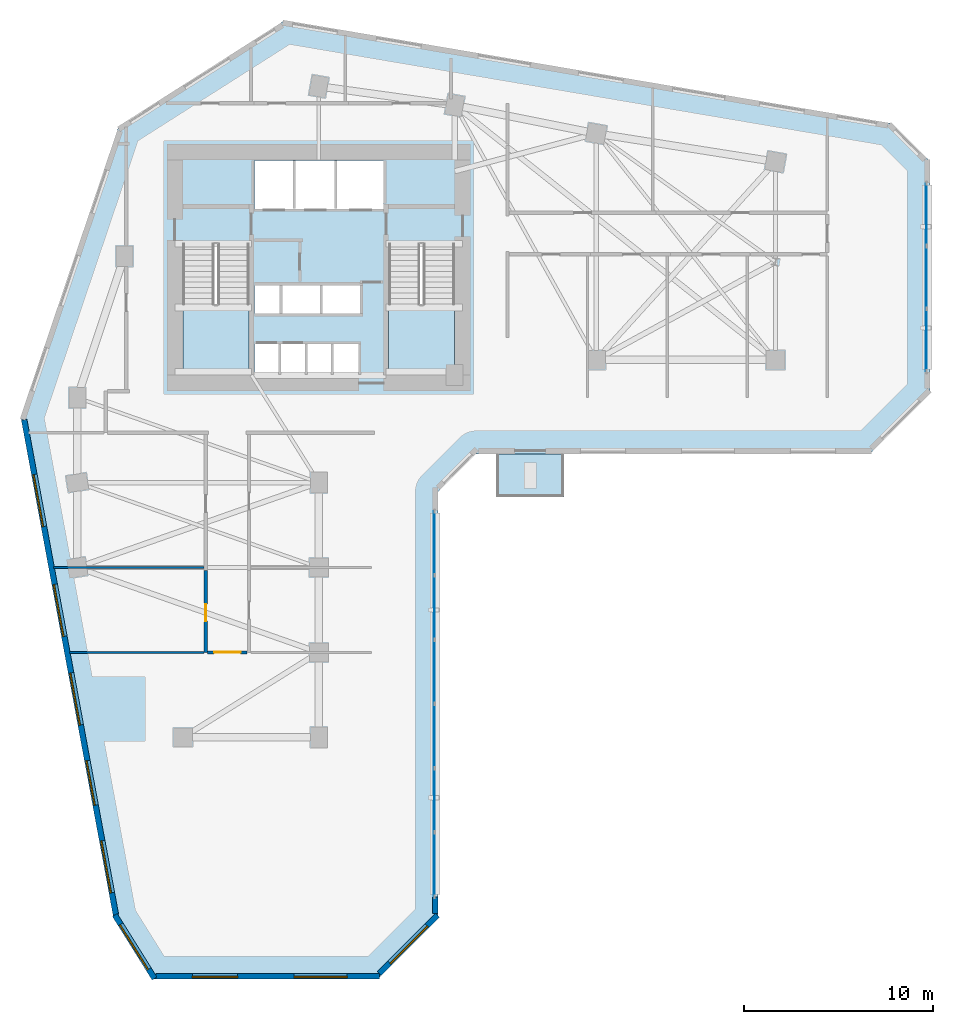
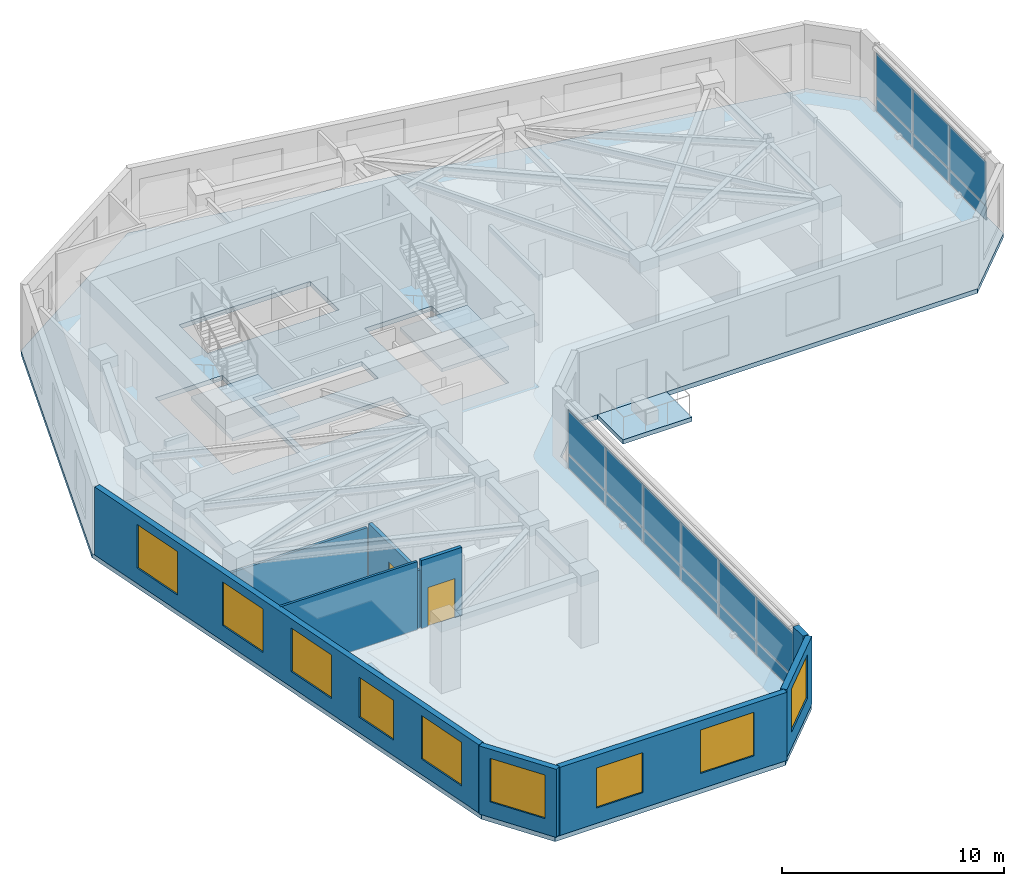
# One storey, part 4 of 10: 18 plates, 9 walls, 9 windows, 4 slabs, 2 doors, 11 openings, 4 elements without a shape of their own.
"""IFC4 building model written with IfcOpenShell, lengths in metres."""

import ifcopenshell
import ifcopenshell.guid

model = None  # the IFC model being written
_history = None  # IfcOwnerHistory: only IFC2X3 demands one
_inside = {}  # id of a spatial element -> (the spatial element, [elements in it])
_under = {}  # id of a project, library or spatial element -> (it, [spatial elements below it])
_declared = {}  # id of a project -> (the project, [libraries it declares])
_typed = {}  # id of a type object -> (the type object, [elements of that type])
_made_of = {}  # id of a material, layer set ... -> (it, [elements and type objects made of it])


def new_model(schema):
    """Start an empty IFC model of exactly this schema.

    Asked for "IFC4X3", IfcOpenShell would pick the latest addendum, in which some entities
    have other attributes; the version numbers below select the first issue.
    IFC2X3 requires an IfcOwnerHistory on every rooted entity: one is made here for all.
    """
    global model, _history
    if schema == "IFC4X3":
        model = ifcopenshell.file(schema_version=(4, 3, 0, 0))
    else:
        model = ifcopenshell.file(schema=schema)
    _inside.clear()
    _under.clear()
    _declared.clear()
    _typed.clear()
    _made_of.clear()
    _history = None
    if model.schema == "IFC2X3":
        org = make("IfcOrganization", Name="unknown")
        user = make(
            "IfcPersonAndOrganization",
            ThePerson=make("IfcPerson", FamilyName="unknown"),
            TheOrganization=org,
        )
        app = make(
            "IfcApplication",
            ApplicationDeveloper=org,
            Version="unknown",
            ApplicationFullName="unknown",
            ApplicationIdentifier="unknown",
        )
        _history = make(
            "IfcOwnerHistory",
            OwningUser=user,
            OwningApplication=app,
            ChangeAction="ADDED",
            CreationDate=0,
        )
    return model


def make(cls, **values):
    """One entity of the class cls with the attributes given. An attribute that is None is left unset."""
    return model.create_entity(
        cls, **{name: value for name, value in values.items() if value is not None}
    )


def rooted(cls, **values):
    """An entity with a GlobalId (a new one), such as an element, a storey or a relation."""
    return make(cls, GlobalId=ifcopenshell.guid.new(), OwnerHistory=_history, **values)


def si_unit(unit_type, name, prefix=None):
    """IfcSIUnit, for example si_unit("LENGTHUNIT", "METRE", prefix="MILLI")."""
    return make("IfcSIUnit", UnitType=unit_type, Prefix=prefix, Name=name)


def assignment(units):
    """IfcUnitAssignment: the units of a project."""
    return None if units is None else make("IfcUnitAssignment", Units=units)


def point(xyz):
    """IfcCartesianPoint."""
    return None if xyz is None else make("IfcCartesianPoint", Coordinates=xyz)


def direction(xyz):
    """IfcDirection."""
    return None if xyz is None else make("IfcDirection", DirectionRatios=xyz)


def frame(location, z_axis=None, x_axis=None):
    """IfcAxis2Placement3D, a coordinate frame: its origin and axes. An axis left out is left unset."""
    return make(
        "IfcAxis2Placement3D",
        Location=point(location),
        Axis=direction(z_axis),
        RefDirection=direction(x_axis),
    )


def frame_2d(location, x_axis=None):
    """IfcAxis2Placement2D, a coordinate frame in the plane: its origin and x axis."""
    return make(
        "IfcAxis2Placement2D", Location=point(location), RefDirection=direction(x_axis)
    )


def origin():
    """The frame at (0, 0, 0) with its axes left unset."""
    return frame((0.0, 0.0, 0.0))


def place(relative_to, where):
    """IfcLocalPlacement: puts the frame where relative to a parent placement (None: the world)."""
    return make(
        "IfcLocalPlacement", PlacementRelTo=relative_to, RelativePlacement=where
    )


def context(
    kind, dimensions, precision=None, world=None, true_north=None, identifier=None
):
    """IfcGeometricRepresentationContext, for example the 3D "Model" context."""
    return make(
        "IfcGeometricRepresentationContext",
        ContextIdentifier=identifier,
        ContextType=kind,
        CoordinateSpaceDimension=dimensions,
        Precision=precision,
        WorldCoordinateSystem=world,
        TrueNorth=true_north,
    )


def subcontext(parent, identifier, kind, view, scale=None):
    """IfcGeometricRepresentationSubContext, for example "Body" below "Model"."""
    return make(
        "IfcGeometricRepresentationSubContext",
        ContextIdentifier=identifier,
        ContextType=kind,
        ParentContext=parent,
        TargetScale=scale,
        TargetView=view,
    )


def project(units=None, contexts=None):
    """IfcProject with its units and contexts."""
    return rooted(
        "IfcProject",
        Name="project",
        RepresentationContexts=contexts,
        UnitsInContext=assignment(units),
    )


def spatial(cls, under=None, at=None, **own):
    """A site, building, storey or space (cls), placed at a placement, below another one or the project."""
    s = rooted(cls, ObjectPlacement=at, **own)
    if under is not None:
        _under.setdefault(under.id(), (under, []))[1].append(s)
    return s


def polyline(points):
    """IfcPolyline through the points."""
    return make("IfcPolyline", Points=[point(p) for p in points])


def profile(cls, at=None, kind="AREA", **sizes):
    """A parametric profile (cls). Its sizes go by their IFC names, for example OverallWidth=200.0."""
    return make(cls, ProfileType=kind, Position=at, **sizes)


def rectangle(**sizes):
    """IfcRectangleProfileDef."""
    return profile("IfcRectangleProfileDef", **sizes)


def outline(outer, holes=None, kind="AREA"):
    """IfcArbitraryClosedProfileDef: a profile drawn as a closed curve; with holes, ...WithVoids."""
    if holes is None:
        return make("IfcArbitraryClosedProfileDef", ProfileType=kind, OuterCurve=outer)
    return make(
        "IfcArbitraryProfileDefWithVoids",
        ProfileType=kind,
        OuterCurve=outer,
        InnerCurves=holes,
    )


def extrude(swept, where, along, depth):
    """IfcExtrudedAreaSolid: the profile swept, set in the frame where, extruded along a direction by depth."""
    return make(
        "IfcExtrudedAreaSolid",
        SweptArea=swept,
        Position=where,
        ExtrudedDirection=direction(along),
        Depth=depth,
    )


def shape(context_of_items, identifier, shape_type, items):
    """IfcShapeRepresentation: the items that make up one representation, for example the "Body"."""
    return make(
        "IfcShapeRepresentation",
        ContextOfItems=context_of_items,
        RepresentationIdentifier=identifier,
        RepresentationType=shape_type,
        Items=items,
    )


def source(mapping_origin, context_of_items, identifier, shape_type, items):
    """IfcRepresentationMap: a shape defined once, which mapped items show again and again."""
    return make(
        "IfcRepresentationMap",
        MappingOrigin=mapping_origin,
        MappedRepresentation=shape(context_of_items, identifier, shape_type, items),
    )


def transform(
    local_origin,
    x_axis=None,
    y_axis=None,
    z_axis=None,
    scale=None,
    scale2=None,
    scale3=None,
    uniform=True,
):
    """IfcCartesianTransformationOperator3D, or its non-uniform kind. x_axis, y_axis, z_axis: its Axis1, 2, 3."""
    if uniform:
        return make(
            "IfcCartesianTransformationOperator3D",
            Axis1=direction(x_axis),
            Axis2=direction(y_axis),
            LocalOrigin=point(local_origin),
            Scale=scale,
            Axis3=direction(z_axis),
        )
    return make(
        "IfcCartesianTransformationOperator3DnonUniform",
        Axis1=direction(x_axis),
        Axis2=direction(y_axis),
        LocalOrigin=point(local_origin),
        Scale=scale,
        Axis3=direction(z_axis),
        Scale2=scale2,
        Scale3=scale3,
    )


def mapped(mapping_source, mapping_target):
    """IfcMappedItem: shows the shape of a source again, moved by a transform."""
    return make(
        "IfcMappedItem", MappingSource=mapping_source, MappingTarget=mapping_target
    )


def material(Name=None, Category=None):
    """IfcMaterial."""
    return make("IfcMaterial", Name=Name, Category=Category)


def layer(
    of_material, thickness, ventilated=None, Name=None, Category=None, Priority=None
):
    """IfcMaterialLayer: one layer of a wall or slab, of a material (None: an air gap)."""
    return make(
        "IfcMaterialLayer",
        Material=of_material,
        LayerThickness=thickness,
        IsVentilated=ventilated,
        Name=Name,
        Category=Category,
        Priority=Priority,
    )


def layer_set(layers, Name=None):
    """IfcMaterialLayerSet."""
    return make("IfcMaterialLayerSet", MaterialLayers=layers, LayerSetName=Name)


def made_of(thing, what):
    """Note that an element or type object is made of a material, layer set ...; save() writes the relation."""
    if what is not None:
        _made_of.setdefault(what.id(), (what, []))[1].append(thing)
    return thing


def type_object(cls, material=None, **own):
    """A type object (cls), such as IfcWallType, which elements share."""
    return made_of(rooted(cls, **own), material)


def element(
    cls,
    number,
    at=None,
    inside=None,
    cuts=None,
    type_object=None,
    material=None,
    context=None,
    identifier="Body",
    shape_type=None,
    held_by="IfcProductDefinitionShape",
    body=None,
    shapes=None,
    **own,
):
    """One element of the class cls, such as IfcWall. Its Tag is "e" and its number.

    at: its placement. inside: the storey or other place that contains it. cuts: it is an
    opening in that element (IfcRelVoidsElement). A single representation is given by context,
    identifier, shape_type and body (its items); several are given by shapes. held_by: the class
    of the entity that holds the representations. save() writes the other relations.
    """
    e = rooted(cls, Tag="e%d" % number, ObjectPlacement=at, **own)
    if body is not None:
        shapes = [shape(context, identifier, shape_type, body)]
    if shapes is not None:
        e.Representation = make(held_by, Representations=shapes)
    if inside is not None:
        _inside.setdefault(inside.id(), (inside, []))[1].append(e)
    if cuts is not None:
        rooted(
            "IfcRelVoidsElement", RelatingBuildingElement=cuts, RelatedOpeningElement=e
        )
    if type_object is not None:
        _typed.setdefault(type_object.id(), (type_object, []))[1].append(e)
    return made_of(e, material)


def fill(opening, filler):
    """IfcRelFillsElement: the door or window that sits in an opening."""
    return rooted(
        "IfcRelFillsElement",
        RelatingOpeningElement=opening,
        RelatedBuildingElement=filler,
    )


def aggregate(whole, parts):
    """IfcRelAggregates: a whole, such as a stair, and the parts it consists of."""
    return rooted("IfcRelAggregates", RelatingObject=whole, RelatedObjects=parts)


def save(model, path):
    """Write the relations noted so far, then the file.

    IfcRelAggregates (storeys below a building ...), IfcRelContainedInSpatialStructure (elements
    in a storey), IfcRelDefinesByType, IfcRelAssociatesMaterial and IfcRelDeclares: one each for
    every whole, place, type object, material and project.
    """
    for whole, parts in _under.values():
        aggregate(whole, parts)
    for where, things in _inside.values():
        rooted(
            "IfcRelContainedInSpatialStructure",
            RelatedElements=things,
            RelatingStructure=where,
        )
    for kind, things in _typed.values():
        rooted("IfcRelDefinesByType", RelatedObjects=things, RelatingType=kind)
    for what, things in _made_of.values():
        rooted("IfcRelAssociatesMaterial", RelatedObjects=things, RelatingMaterial=what)
    for by, libraries in _declared.values():
        rooted("IfcRelDeclares", RelatingContext=by, RelatedDefinitions=libraries)
    model.write(path)


model = new_model("IFC4")

# Units and contexts
model_context = context("Model", 3, precision=1e-05, world=origin(), true_north=direction((0.0, 1.0)))
body_context = subcontext(model_context, "Body", "Model", "MODEL_VIEW")
ifc_project = project(units=[si_unit("LENGTHUNIT", "METRE"), si_unit("AREAUNIT", "SQUARE_METRE"), si_unit("VOLUMEUNIT", "CUBIC_METRE"), si_unit("PLANEANGLEUNIT", "RADIAN"), si_unit("MASSUNIT", "GRAM", prefix="KILO")], contexts=[model_context])

# Site, building, storey
site_placement = place(None, origin())
site = spatial("IfcSite", under=ifc_project, at=site_placement, CompositionType="ELEMENT")
building_placement = place(site_placement, origin())
building = spatial("IfcBuilding", under=site, at=building_placement, Name="Calvemar Wedge Station Tower", CompositionType="ELEMENT")
storey_placement = place(building_placement, frame((0.0, 0.0, 87.0)))
storey = spatial("IfcBuildingStorey", under=building, at=storey_placement, Name="L21", CompositionType="ELEMENT", Elevation=87.0)

# Curtain wall, plates
ifc_material_1 = material(Name="Anodised aluminium 6063-T6", Category="aluminium")
curtain_wall_type = type_object("IfcCurtainWallType", Name="CW1", PredefinedType="NOTDEFINED", material=ifc_material_1)
curtain_wall_1_placement = place(storey_placement, origin())
curtain_wall_1 = element("IfcCurtainWall", 1, at=curtain_wall_1_placement, inside=storey, type_object=curtain_wall_type, Name="Storey L21 CW1 Recessed Unitised Curtain Wall 4", PredefinedType="NOTDEFINED")
ifc_material_2 = material(Name="Low-E laminated insulated glass", Category="glass")
ifc_layer_1 = layer(ifc_material_2, 0.028076171875)
ifc_layer_set_1 = layer_set([ifc_layer_1], Name="Low-E laminated insulated glass")
plate_type_1 = type_object("IfcPlateType", Name="CW1-GLZ", PredefinedType="CURTAIN_PANEL", material=ifc_layer_set_1)
plate_1_placement = place(storey_placement, frame((29.91796875, 6.580078125, 0.8701171875), z_axis=(0.0, 0.0, 1.0), x_axis=(0.0, 1.0, 0.0)))
plate_1 = element("IfcPlate", 2, at=plate_1_placement, type_object=plate_type_1, Name="CW1 vision glass panel 1", PredefinedType="CURTAIN_PANEL", context=body_context, shape_type="SweptSolid", body=[
    extrude(rectangle(XDim=3.36865234375, YDim=0.028076171875, at=frame_2d((1.684326171875, 0.0))), origin(), (0.0, 0.0, 1.0), 2.409912109375),
])
plate_2_placement = place(storey_placement, frame((29.91796875, 9.98486328125, 0.8701171875), z_axis=(0.0, 0.0, 1.0), x_axis=(0.0, 1.0, 0.0)))
plate_2 = element("IfcPlate", 3, at=plate_2_placement, type_object=plate_type_1, Name="CW1 vision glass panel 2", PredefinedType="CURTAIN_PANEL", context=body_context, shape_type="SweptSolid", body=[
    extrude(rectangle(XDim=3.36865234375, YDim=0.028076171875, at=frame_2d((1.684326171875, 0.0))), origin(), (0.0, 0.0, 1.0), 2.409912109375),
])
plate_3_placement = place(storey_placement, frame((29.91796875, 13.389404296875, 0.8701171875), z_axis=(0.0, 0.0, 1.0), x_axis=(0.0, 1.0, 0.0)))
plate_3 = element("IfcPlate", 4, at=plate_3_placement, type_object=plate_type_1, Name="CW1 vision glass panel 3", PredefinedType="CURTAIN_PANEL", context=body_context, shape_type="SweptSolid", body=[
    extrude(rectangle(XDim=3.36865234375, YDim=0.028076171875, at=frame_2d((1.684326171875, 0.0))), origin(), (0.0, 0.0, 1.0), 2.409912109375),
])
plate_4_placement = place(storey_placement, frame((29.91796875, 16.794189453125, 0.8701171875), z_axis=(0.0, 0.0, 1.0), x_axis=(0.0, 1.0, 0.0)))
plate_4 = element("IfcPlate", 5, at=plate_4_placement, type_object=plate_type_1, Name="CW1 vision glass panel 4", PredefinedType="CURTAIN_PANEL", context=body_context, shape_type="SweptSolid", body=[
    extrude(rectangle(XDim=3.36865234375, YDim=0.028076171875, at=frame_2d((1.684326171875, 0.0))), origin(), (0.0, 0.0, 1.0), 2.409912109375),
])
plate_5_placement = place(storey_placement, frame((29.91796875, 20.19873046875, 0.8701171875), z_axis=(0.0, 0.0, 1.0), x_axis=(0.0, 1.0, 0.0)))
plate_5 = element("IfcPlate", 6, at=plate_5_placement, type_object=plate_type_1, Name="CW1 vision glass panel 5", PredefinedType="CURTAIN_PANEL", context=body_context, shape_type="SweptSolid", body=[
    extrude(rectangle(XDim=3.36865234375, YDim=0.028076171875, at=frame_2d((1.684326171875, 0.0))), origin(), (0.0, 0.0, 1.0), 2.409912109375),
])
plate_6_placement = place(storey_placement, frame((29.91796875, 23.603515625, 0.8701171875), z_axis=(0.0, 0.0, 1.0), x_axis=(0.0, 1.0, 0.0)))
plate_6 = element("IfcPlate", 7, at=plate_6_placement, type_object=plate_type_1, Name="CW1 vision glass panel 6", PredefinedType="CURTAIN_PANEL", context=body_context, shape_type="SweptSolid", body=[
    extrude(rectangle(XDim=3.36865234375, YDim=0.028076171875, at=frame_2d((1.684326171875, 0.0))), origin(), (0.0, 0.0, 1.0), 2.409912109375),
])

curtain_wall_2_placement = place(storey_placement, origin())
curtain_wall_2 = element("IfcCurtainWall", 8, at=curtain_wall_2_placement, inside=storey, type_object=curtain_wall_type, Name="Storey L21 CW1 Recessed Unitised Curtain Wall 8", PredefinedType="NOTDEFINED")
plate_7_placement = place(storey_placement, frame((55.989990234375, 34.408203125, 0.8701171875), z_axis=(0.0, 0.0, 1.0), x_axis=(0.0, 1.0, 0.0)))
plate_7 = element("IfcPlate", 9, at=plate_7_placement, type_object=plate_type_1, Name="CW1 vision glass panel 1", PredefinedType="CURTAIN_PANEL", context=body_context, shape_type="SweptSolid", body=[
    extrude(rectangle(XDim=3.289306640625, YDim=0.028076171875, at=frame_2d((1.64453125, 0.0))), origin(), (0.0, 0.0, 1.0), 2.409912109375),
])
plate_8_placement = place(storey_placement, frame((55.989990234375, 37.7333984375, 0.8701171875), z_axis=(0.0, 0.0, 1.0), x_axis=(0.0, 1.0, 0.0)))
plate_8 = element("IfcPlate", 10, at=plate_8_placement, type_object=plate_type_1, Name="CW1 vision glass panel 2", PredefinedType="CURTAIN_PANEL", context=body_context, shape_type="SweptSolid", body=[
    extrude(rectangle(XDim=3.289306640625, YDim=0.028076171875, at=frame_2d((1.64453125, 0.0))), origin(), (0.0, 0.0, 1.0), 2.409912109375),
])
plate_9_placement = place(storey_placement, frame((55.989990234375, 41.05859375, 0.8701171875), z_axis=(0.0, 0.0, 1.0), x_axis=(0.0, 1.0, 0.0)))
plate_9 = element("IfcPlate", 11, at=plate_9_placement, type_object=plate_type_1, Name="CW1 vision glass panel 3", PredefinedType="CURTAIN_PANEL", context=body_context, shape_type="SweptSolid", body=[
    extrude(rectangle(XDim=3.289306640625, YDim=0.028076171875, at=frame_2d((1.64453125, 0.0))), origin(), (0.0, 0.0, 1.0), 2.409912109375),
])

# Plate
ifc_material_3 = material(Name="Oxidized bronze aluminium spandrel panel 5005-H24", Category="aluminium")
ifc_layer_2 = layer(ifc_material_3, 0.0400390625)
ifc_layer_set_2 = layer_set([ifc_layer_2], Name="Oxidized bronze aluminium spandrel panel 5005-H24")
plate_type_2 = type_object("IfcPlateType", Name="CW1-SPD", PredefinedType="SHEET", material=ifc_layer_set_2)
plate_10_placement = place(storey_placement, frame((29.91796875, 6.580078125, 0.080078125), z_axis=(0.0, 0.0, 1.0), x_axis=(0.0, 1.0, 0.0)))
plate_10 = element("IfcPlate", 12, at=plate_10_placement, type_object=plate_type_2, Name="CW1 bronze spandrel panel 1", PredefinedType="SHEET", context=body_context, shape_type="SweptSolid", body=[
    extrude(rectangle(XDim=3.36865234375, YDim=0.0400390625, at=frame_2d((1.684326171875, 0.0))), origin(), (0.0, 0.0, 1.0), 0.75),
])

plate_11_placement = place(storey_placement, frame((29.91796875, 9.98486328125, 0.080078125), z_axis=(0.0, 0.0, 1.0), x_axis=(0.0, 1.0, 0.0)))
plate_11 = element("IfcPlate", 13, at=plate_11_placement, type_object=plate_type_2, Name="CW1 bronze spandrel panel 2", PredefinedType="SHEET", context=body_context, shape_type="SweptSolid", body=[
    extrude(rectangle(XDim=3.36865234375, YDim=0.0400390625, at=frame_2d((1.684326171875, 0.0))), origin(), (0.0, 0.0, 1.0), 0.75),
])

plate_12_placement = place(storey_placement, frame((29.91796875, 13.389404296875, 0.080078125), z_axis=(0.0, 0.0, 1.0), x_axis=(0.0, 1.0, 0.0)))
plate_12 = element("IfcPlate", 14, at=plate_12_placement, type_object=plate_type_2, Name="CW1 bronze spandrel panel 3", PredefinedType="SHEET", context=body_context, shape_type="SweptSolid", body=[
    extrude(rectangle(XDim=3.36865234375, YDim=0.0400390625, at=frame_2d((1.684326171875, 0.0))), origin(), (0.0, 0.0, 1.0), 0.75),
])

plate_13_placement = place(storey_placement, frame((29.91796875, 16.794189453125, 0.080078125), z_axis=(0.0, 0.0, 1.0), x_axis=(0.0, 1.0, 0.0)))
plate_13 = element("IfcPlate", 15, at=plate_13_placement, type_object=plate_type_2, Name="CW1 bronze spandrel panel 4", PredefinedType="SHEET", context=body_context, shape_type="SweptSolid", body=[
    extrude(rectangle(XDim=3.36865234375, YDim=0.0400390625, at=frame_2d((1.684326171875, 0.0))), origin(), (0.0, 0.0, 1.0), 0.75),
])

plate_14_placement = place(storey_placement, frame((29.91796875, 20.19873046875, 0.080078125), z_axis=(0.0, 0.0, 1.0), x_axis=(0.0, 1.0, 0.0)))
plate_14 = element("IfcPlate", 16, at=plate_14_placement, type_object=plate_type_2, Name="CW1 bronze spandrel panel 5", PredefinedType="SHEET", context=body_context, shape_type="SweptSolid", body=[
    extrude(rectangle(XDim=3.36865234375, YDim=0.0400390625, at=frame_2d((1.684326171875, 0.0))), origin(), (0.0, 0.0, 1.0), 0.75),
])

plate_15_placement = place(storey_placement, frame((29.91796875, 23.603515625, 0.080078125), z_axis=(0.0, 0.0, 1.0), x_axis=(0.0, 1.0, 0.0)))
plate_15 = element("IfcPlate", 17, at=plate_15_placement, type_object=plate_type_2, Name="CW1 bronze spandrel panel 6", PredefinedType="SHEET", context=body_context, shape_type="SweptSolid", body=[
    extrude(rectangle(XDim=3.36865234375, YDim=0.0400390625, at=frame_2d((1.684326171875, 0.0))), origin(), (0.0, 0.0, 1.0), 0.75),
])

aggregate(curtain_wall_1, [plate_10, plate_1, plate_11, plate_2, plate_12, plate_3, plate_13, plate_4, plate_14, plate_5, plate_15, plate_6])

plate_16_placement = place(storey_placement, frame((55.989990234375, 34.408203125, 0.080078125), z_axis=(0.0, 0.0, 1.0), x_axis=(0.0, 1.0, 0.0)))
plate_16 = element("IfcPlate", 18, at=plate_16_placement, type_object=plate_type_2, Name="CW1 bronze spandrel panel 1", PredefinedType="SHEET", context=body_context, shape_type="SweptSolid", body=[
    extrude(rectangle(XDim=3.289306640625, YDim=0.0400390625, at=frame_2d((1.64453125, 0.0))), origin(), (0.0, 0.0, 1.0), 0.75),
])

plate_17_placement = place(storey_placement, frame((55.989990234375, 37.7333984375, 0.080078125), z_axis=(0.0, 0.0, 1.0), x_axis=(0.0, 1.0, 0.0)))
plate_17 = element("IfcPlate", 19, at=plate_17_placement, type_object=plate_type_2, Name="CW1 bronze spandrel panel 2", PredefinedType="SHEET", context=body_context, shape_type="SweptSolid", body=[
    extrude(rectangle(XDim=3.289306640625, YDim=0.0400390625, at=frame_2d((1.64453125, 0.0))), origin(), (0.0, 0.0, 1.0), 0.75),
])

plate_18_placement = place(storey_placement, frame((55.989990234375, 41.05859375, 0.080078125), z_axis=(0.0, 0.0, 1.0), x_axis=(0.0, 1.0, 0.0)))
plate_18 = element("IfcPlate", 20, at=plate_18_placement, type_object=plate_type_2, Name="CW1 bronze spandrel panel 3", PredefinedType="SHEET", context=body_context, shape_type="SweptSolid", body=[
    extrude(rectangle(XDim=3.289306640625, YDim=0.0400390625, at=frame_2d((1.64453125, 0.0))), origin(), (0.0, 0.0, 1.0), 0.75),
])

aggregate(curtain_wall_2, [plate_16, plate_7, plate_17, plate_8, plate_18, plate_9])

# Stair, slab
ifc_material_4 = material(Name="Concrete C45", Category="concrete")
stair_type = type_object("IfcStairType", Name="ST-TYPE-4000", PredefinedType="HALF_TURN_STAIR", material=ifc_material_4)
stair_1_placement = place(storey_placement, origin())
stair_1 = element("IfcStair", 21, at=stair_1_placement, inside=storey, type_object=stair_type, Name="L21 Pressurized Core Exit Stair ST-C1", PredefinedType="HALF_TURN_STAIR")
ifc_layer_3 = layer(ifc_material_4, 0.199951171875)
ifc_layer_set_3 = layer_set([ifc_layer_3], Name="Concrete C45")
slab_type_1 = type_object("IfcSlabType", Name="SL-STAIR-LND-200", PredefinedType="LANDING", material=ifc_layer_set_3)
slab_1_placement = place(storey_placement, frame((0.0, 0.0, 1.800048828125)))
slab_1 = element("IfcSlab", 22, at=slab_1_placement, type_object=slab_type_1, Name="ST-C1 landing 1", PredefinedType="LANDING", context=body_context, shape_type="SweptSolid", body=[
    extrude(outline(polyline([(16.60009765625, 37.9599609375), (16.60009765625, 34.199951171875), (20.10009765625, 34.199951171875), (20.10009765625, 37.9599609375), (16.60009765625, 37.9599609375)])), origin(), (0.0, 0.0, 1.0), 0.199951171875),
])
aggregate(stair_1, [slab_1])

stair_2_placement = place(storey_placement, origin())
stair_2 = element("IfcStair", 23, at=stair_2_placement, inside=storey, type_object=stair_type, Name="L21 Pressurized Core Exit Stair ST-C2", PredefinedType="HALF_TURN_STAIR")
slab_2_placement = place(storey_placement, frame((0.0, 0.0, 1.800048828125)))
slab_2 = element("IfcSlab", 24, at=slab_2_placement, type_object=slab_type_1, Name="ST-C2 landing 1", PredefinedType="LANDING", context=body_context, shape_type="SweptSolid", body=[
    extrude(outline(polyline([(27.5, 37.9599609375), (27.5, 34.199951171875), (31.0, 34.199951171875), (31.0, 37.9599609375), (27.5, 37.9599609375)])), origin(), (0.0, 0.0, 1.0), 0.199951171875),
])
aggregate(stair_2, [slab_2])

# Slabs
ifc_layer_4 = layer(ifc_material_4, 0.239990234375)
ifc_layer_set_4 = layer_set([ifc_layer_4], Name="Concrete C45")
slab_type_2 = type_object("IfcSlabType", Name="SL-TERR-240", PredefinedType="FLOOR", material=ifc_layer_set_4)
slab_3_placement = place(storey_placement, frame((0.0, 0.0, -0.239990234375)))
element("IfcSlab", 25, at=slab_3_placement, inside=storey, type_object=slab_type_2, Name="Storey L21 Planted Spiral Terrace Slab", PredefinedType="FLOOR", context=body_context, shape_type="SweptSolid", body=[
    extrude(outline(polyline([(33.199951171875, 30.028076171875), (33.199951171875, 27.72802734375), (36.800048828125, 27.72802734375), (36.800048828125, 30.028076171875), (33.199951171875, 30.028076171875)])), origin(), (0.0, 0.0, 1.0), 0.239990234375),
])
ifc_material_5 = material(Name="Concrete C50", Category="concrete")
ifc_layer_5 = layer(ifc_material_5, 0.25)
ifc_layer_set_5 = layer_set([ifc_layer_5], Name="Concrete C50")
slab_type_3 = type_object("IfcSlabType", Name="SL-TYP-250", PredefinedType="FLOOR", material=ifc_layer_set_5)
slab_4_placement = place(storey_placement, frame((0.0, 0.0, -0.25)))
element("IfcSlab", 26, at=slab_4_placement, inside=storey, type_object=slab_type_3, Name="Storey L21 Structural Floor Slab", PredefinedType="FLOOR", context=body_context, shape_type="SweptSolid", body=[
    extrude(outline(polyline([(8.0, 32.0), (12.927978515625, 5.39990234375), (14.927978515625, 2.199951171875), (26.927978515625, 2.199951171875), (30.1279296875, 5.39990234375), (30.1279296875, 28.028076171875), (32.1279296875, 30.028076171875), (53.0, 30.028076171875), (56.199951171875, 33.22802734375), (56.199951171875, 45.528076171875), (54.199951171875, 47.528076171875), (22.0, 53.0), (13.199951171875, 47.39990234375), (8.0, 32.0)]), holes=[polyline([(21.739990234375, 35.85009765625), (21.72998046875, 35.85009765625), (20.3798828125, 35.85009765625), (20.3798828125, 34.219970703125), (21.72998046875, 34.219970703125), (21.739990234375, 34.219970703125), (23.1201171875, 34.219970703125), (23.1298828125, 34.219970703125), (24.510009765625, 34.219970703125), (24.52001953125, 34.219970703125), (25.909912109375, 34.219970703125), (25.909912109375, 35.85009765625), (24.52001953125, 35.85009765625), (24.510009765625, 35.85009765625), (23.1298828125, 35.85009765625), (23.1201171875, 35.85009765625), (21.739990234375, 35.85009765625)]), polyline([(16.60009765625, 41.14990234375), (16.60009765625, 34.199951171875), (20.10009765625, 34.199951171875), (20.10009765625, 41.14990234375), (16.60009765625, 41.14990234375)]), polyline([(27.5, 34.199951171875), (31.0, 34.199951171875), (31.0, 41.14990234375), (27.5, 41.14990234375), (27.5, 34.199951171875)]), polyline([(21.7900390625, 37.449951171875), (21.800048828125, 37.449951171875), (23.929931640625, 37.449951171875), (23.93994140625, 37.449951171875), (26.080078125, 37.449951171875), (26.080078125, 38.949951171875), (23.93994140625, 38.949951171875), (23.929931640625, 38.949951171875), (21.800048828125, 38.949951171875), (21.7900390625, 38.949951171875), (20.3798828125, 38.949951171875), (20.3798828125, 37.449951171875), (21.7900390625, 37.449951171875)]), polyline([(20.3798828125, 43.0), (27.219970703125, 43.0), (27.219970703125, 45.580078125), (20.3798828125, 45.580078125), (20.3798828125, 43.0)])]), origin(), (0.0, 0.0, 1.0), 0.25),
])

# Wall, opening, door
ifc_material_6 = material(Name="Double-stud fire-rated corridor partition")
ifc_layer_6 = layer(ifc_material_6, 0.179931640625)
ifc_layer_set_6 = layer_set([ifc_layer_6], Name="Double-stud fire-rated corridor partition")
wall_type_1 = type_object("IfcWallType", Name="W-CORR-180", PredefinedType="PARTITIONING", material=ifc_layer_set_6)
wall_1_placement = place(storey_placement, frame((17.800048828125, 19.5, 0.0), z_axis=(0.0, 0.0, 1.0), x_axis=(0.0, 1.0, 0.0)))
wall_1 = element("IfcWall", 27, at=wall_1_placement, inside=storey, type_object=wall_type_1, Name="Storey L21 Interior Partition WL-L21-033", PredefinedType="PARTITIONING", context=body_context, shape_type="SweptSolid", body=[
    extrude(rectangle(XDim=4.337890625, YDim=0.179931640625, at=frame_2d((2.1689453125, 0.0))), origin(), (0.0, 0.0, 1.0), 3.18798828125),
])
shared_shape_1 = source(origin(), body_context, "Body", "SweptSolid", [
    extrude(rectangle(XDim=0.89990234375, YDim=2.14990234375, at=frame_2d((0.449951171875, 1.074951171875))), frame((0.0, 0.10009765625, 0.0), z_axis=(0.0, -1.0, 0.0), x_axis=(1.0, 0.0, 0.0)), (0.0, 0.0, 1.0), 0.199951171875),
])
opening_1_placement = place(wall_1_placement, frame((1.656494140625, 0.0, 0.0)))
opening_1 = element("IfcOpeningElement", 28, at=opening_1_placement, cuts=wall_1, Name="Opening D-01", PredefinedType="OPENING", context=body_context, shape_type="MappedRepresentation", body=[
    mapped(shared_shape_1, transform((0.0, 0.0, 0.0), scale=1.0)),
])
ifc_material_7 = material(Name="Architectural hardwood acoustic swing door", Category="wood")
door_type_1 = type_object("IfcDoorType", Name="DR-INT-900", OperationType="NOTDEFINED", PredefinedType="DOOR", material=ifc_material_7)
shared_shape_2 = source(origin(), body_context, "Body", "SweptSolid", [
    extrude(rectangle(XDim=0.89990234375, YDim=2.14990234375, at=frame_2d((0.449951171875, 1.074951171875))), frame((0.0, 0.02490234375, 0.0), z_axis=(0.0, -1.0, 0.0), x_axis=(1.0, 0.0, 0.0)), (0.0, 0.0, 1.0), 0.050048828125),
])
door_1_placement = place(opening_1_placement, origin())
door_1 = element("IfcDoor", 29, at=door_1_placement, inside=storey, type_object=door_type_1, Name="L21 Office Door", OperationType="SINGLE_SWING_LEFT", OverallHeight=2.14990234375, OverallWidth=0.89990234375, PredefinedType="DOOR", context=body_context, shape_type="MappedRepresentation", body=[
    mapped(shared_shape_2, transform((0.0, 0.0, 0.0), scale=1.0)),
])
fill(opening_1, door_1)

wall_2_placement = place(storey_placement, frame((20.006103515625, 19.5, 0.0), z_axis=(0.0, 0.0, 1.0), x_axis=(-1.0, 0.0, 0.0)))
wall_2 = element("IfcWall", 30, at=wall_2_placement, inside=storey, type_object=wall_type_1, Name="Storey L21 Interior Partition WL-L21-036", PredefinedType="PARTITIONING", context=body_context, shape_type="SweptSolid", body=[
    extrude(rectangle(XDim=2.112060546875, YDim=0.179931640625, at=frame_2d((1.05615234375, 0.0))), origin(), (0.0, 0.0, 1.0), 3.75),
])
shared_shape_3 = source(origin(), body_context, "Body", "SweptSolid", [
    extrude(rectangle(XDim=1.39990234375, YDim=2.14990234375, at=frame_2d((0.699951171875, 1.074951171875))), frame((0.0, 0.10009765625, 0.0), z_axis=(0.0, -1.0, 0.0), x_axis=(1.0, 0.0, 0.0)), (0.0, 0.0, 1.0), 0.199951171875),
])
opening_2_placement = place(wall_2_placement, frame((0.35595703125, 0.0, 0.0)))
opening_2 = element("IfcOpeningElement", 31, at=opening_2_placement, cuts=wall_2, Name="Opening DD-140", PredefinedType="OPENING", context=body_context, shape_type="MappedRepresentation", body=[
    mapped(shared_shape_3, transform((0.0, 0.0, 0.0), scale=1.0)),
])
ifc_material_8 = material(Name="Double-leaf corridor acoustic fire door EI 60")
door_type_2 = type_object("IfcDoorType", Name="DR-DBL-1400", OperationType="DOUBLE_DOOR_SINGLE_SWING", PredefinedType="DOOR", material=ifc_material_8)
shared_shape_4 = source(origin(), body_context, "Body", "SweptSolid", [
    extrude(rectangle(XDim=1.39990234375, YDim=2.14990234375, at=frame_2d((0.699951171875, 1.074951171875))), frame((0.0, 0.02490234375, 0.0), z_axis=(0.0, -1.0, 0.0), x_axis=(1.0, 0.0, 0.0)), (0.0, 0.0, 1.0), 0.050048828125),
])
door_2_placement = place(opening_2_placement, origin())
door_2 = element("IfcDoor", 32, at=door_2_placement, inside=storey, type_object=door_type_2, Name="L21 Co-Working Studio Door", OperationType="SINGLE_SWING_RIGHT", OverallHeight=2.14990234375, OverallWidth=1.39990234375, PredefinedType="DOOR", context=body_context, shape_type="MappedRepresentation", body=[
    mapped(shared_shape_4, transform((0.0, 0.0, 0.0), scale=1.0)),
])
fill(opening_2, door_2)

# Wall, opening, window
ifc_material_9 = material(Name="Precast concrete C45", Category="concrete")
ifc_layer_7 = layer(ifc_material_9, 0.300048828125)
ifc_layer_set_7 = layer_set([ifc_layer_7], Name="Precast concrete C45")
wall_type_2 = type_object("IfcWallType", Name="W-EXT-GFRC-300", PredefinedType="SOLIDWALL", material=ifc_layer_set_7)
wall_3_placement = place(storey_placement, frame((12.99072265625, 5.58251953125, 0.0), z_axis=(0.0, 0.0, 1.0), x_axis=(0.530015557218, -0.847987918019, 0.0)))
wall_3 = element("IfcWall", 33, at=wall_3_placement, inside=storey, type_object=wall_type_2, Name="Storey L21 Bronze GFRC Exterior Wall 1", PredefinedType="SOLIDWALL", context=body_context, shape_type="SweptSolid", body=[
    extrude(rectangle(XDim=3.9619140625, YDim=0.300048828125, at=frame_2d((1.98095703125, 0.0))), origin(), (0.0, 0.0, 1.0), 3.75),
])
shared_shape_5 = source(origin(), body_context, "Body", "SweptSolid", [
    extrude(rectangle(XDim=2.800048828125, YDim=2.39990234375, at=frame_2d((1.39990234375, 1.199951171875))), frame((0.0, 0.16015625, 0.0), z_axis=(0.0, -1.0, 0.0), x_axis=(1.0, 0.0, 0.0)), (0.0, 0.0, 1.0), 0.320068359375),
])
opening_3_placement = place(wall_3_placement, frame((0.5810546875, 0.0, 0.85009765625)))
opening_3 = element("IfcOpeningElement", 34, at=opening_3_placement, cuts=wall_3, Name="Opening W6", PredefinedType="OPENING", context=body_context, shape_type="MappedRepresentation", body=[
    mapped(shared_shape_5, transform((0.0, 0.0, 0.0), scale=1.0)),
])
window_type_1 = type_object("IfcWindowType", Name="WIN-EXT-6", PartitioningType="SINGLE_PANEL", PredefinedType="WINDOW", material=ifc_material_2)
shared_shape_6 = source(origin(), body_context, "Body", "SweptSolid", [
    extrude(rectangle(XDim=2.800048828125, YDim=2.39990234375, at=frame_2d((1.39990234375, 1.199951171875))), frame((0.0, -0.014892578125, 0.0), z_axis=(0.0, -1.0, 0.0), x_axis=(1.0, 0.0, 0.0)), (0.0, 0.0, 1.0), 0.06005859375),
])
window_1_placement = place(opening_3_placement, origin())
window_1 = element("IfcWindow", 35, at=window_1_placement, inside=storey, type_object=window_type_1, Name="Storey L21 Recessed Window 1.1", OverallHeight=2.39990234375, OverallWidth=2.800048828125, PartitioningType="SINGLE_PANEL", PredefinedType="WINDOW", context=body_context, shape_type="MappedRepresentation", body=[
    mapped(shared_shape_6, transform((0.0, 0.0, 0.0), scale=1.0)),
])
fill(opening_3, window_1)

# Wall, openings, windows
wall_4_placement = place(storey_placement, frame((15.173828125, 2.35009765625, 0.0), z_axis=(0.0, 0.0, 1.0), x_axis=(1.0, 0.0, 0.0)))
wall_4 = element("IfcWall", 36, at=wall_4_placement, inside=storey, type_object=wall_type_2, Name="Storey L21 Bronze GFRC Exterior Wall 2", PredefinedType="SOLIDWALL", context=body_context, shape_type="SweptSolid", body=[
    extrude(rectangle(XDim=11.842041015625, YDim=0.300048828125, at=frame_2d((5.9208984375, 0.0))), origin(), (0.0, 0.0, 1.0), 3.75),
])
shared_shape_7 = source(origin(), body_context, "Body", "SweptSolid", [
    extrude(rectangle(XDim=2.39990234375, YDim=2.199951171875, at=frame_2d((1.199951171875, 1.10009765625))), frame((0.0, 0.16015625, 0.0), z_axis=(0.0, -1.0, 0.0), x_axis=(1.0, 0.0, 0.0)), (0.0, 0.0, 1.0), 0.320068359375),
])
opening_4_placement = place(wall_4_placement, frame((1.9208984375, 0.0, 0.85009765625)))
opening_4 = element("IfcOpeningElement", 37, at=opening_4_placement, cuts=wall_4, Name="Opening W1", PredefinedType="OPENING", context=body_context, shape_type="MappedRepresentation", body=[
    mapped(shared_shape_7, transform((0.0, 0.0, 0.0), scale=1.0)),
])
opening_5_placement = place(wall_4_placement, frame((7.322021484375, 0.0, 0.85009765625)))
opening_5 = element("IfcOpeningElement", 38, at=opening_5_placement, cuts=wall_4, Name="Opening W6", PredefinedType="OPENING", context=body_context, shape_type="MappedRepresentation", body=[
    mapped(shared_shape_5, transform((0.0, 0.0, 0.0), scale=1.0)),
])
window_2_placement = place(opening_5_placement, origin())
window_2 = element("IfcWindow", 39, at=window_2_placement, inside=storey, type_object=window_type_1, Name="Storey L21 Recessed Window 2.2", OverallHeight=2.39990234375, OverallWidth=2.800048828125, PartitioningType="SINGLE_PANEL", PredefinedType="WINDOW", context=body_context, shape_type="MappedRepresentation", body=[
    mapped(shared_shape_6, transform((0.0, 0.0, 0.0), scale=1.0)),
])
fill(opening_5, window_2)
window_type_2 = type_object("IfcWindowType", Name="WIN-EXT-1", PartitioningType="SINGLE_PANEL", PredefinedType="WINDOW", material=ifc_material_2)
shared_shape_8 = source(origin(), body_context, "Body", "SweptSolid", [
    extrude(rectangle(XDim=2.39990234375, YDim=2.199951171875, at=frame_2d((1.199951171875, 1.10009765625))), frame((0.0, -0.014892578125, 0.0), z_axis=(0.0, -1.0, 0.0), x_axis=(1.0, 0.0, 0.0)), (0.0, 0.0, 1.0), 0.06005859375),
])
window_3_placement = place(opening_4_placement, origin())
window_3 = element("IfcWindow", 40, at=window_3_placement, inside=storey, type_object=window_type_2, Name="Storey L21 Recessed Window 2.1", OverallHeight=2.199951171875, OverallWidth=2.39990234375, PartitioningType="SINGLE_PANEL", PredefinedType="WINDOW", context=body_context, shape_type="MappedRepresentation", body=[
    mapped(shared_shape_8, transform((0.0, 0.0, 0.0), scale=1.0)),
])
fill(opening_4, window_3)

# Wall, opening, window
wall_5_placement = place(storey_placement, frame((27.00390625, 2.488037109375, 0.0), z_axis=(0.0, 0.0, 1.0), x_axis=(0.707106781187, 0.707106781187, 0.0)))
wall_5 = element("IfcWall", 41, at=wall_5_placement, inside=storey, type_object=wall_type_2, Name="Storey L21 Bronze GFRC Exterior Wall 3", PredefinedType="SOLIDWALL", context=body_context, shape_type="SweptSolid", body=[
    extrude(rectangle(XDim=4.35595703125, YDim=0.300048828125, at=frame_2d((2.177978515625, 0.0))), origin(), (0.0, 0.0, 1.0), 3.75),
])
opening_6_placement = place(wall_5_placement, frame((0.778076171875, 0.0, 0.85009765625)))
opening_6 = element("IfcOpeningElement", 42, at=opening_6_placement, cuts=wall_5, Name="Opening W6", PredefinedType="OPENING", context=body_context, shape_type="MappedRepresentation", body=[
    mapped(shared_shape_5, transform((0.0, 0.0, 0.0), scale=1.0)),
])
window_4_placement = place(opening_6_placement, origin())
window_4 = element("IfcWindow", 43, at=window_4_placement, inside=storey, type_object=window_type_1, Name="Storey L21 Recessed Window 3.1", OverallHeight=2.39990234375, OverallWidth=2.800048828125, PartitioningType="SINGLE_PANEL", PredefinedType="WINDOW", context=body_context, shape_type="MappedRepresentation", body=[
    mapped(shared_shape_6, transform((0.0, 0.0, 0.0), scale=1.0)),
])
fill(opening_6, window_4)

# Wall
wall_6_placement = place(storey_placement, frame((29.97802734375, 5.6572265625, 0.0), z_axis=(0.0, 0.0, 1.0), x_axis=(0.0, 1.0, 0.0)))
element("IfcWall", 44, at=wall_6_placement, inside=storey, type_object=wall_type_2, Name="Storey L21 Bronze GFRC Corner Pier 4A", PredefinedType="SOLIDWALL", context=body_context, shape_type="SweptSolid", body=[
    extrude(rectangle(XDim=0.8798828125, YDim=0.300048828125, at=frame_2d((0.43994140625, 0.0))), origin(), (0.0, 0.0, 1.0), 3.75),
])

# Wall, openings, windows
wall_7_placement = place(storey_placement, frame((8.183349609375, 31.83349609375, 0.0), z_axis=(0.0, 0.0, 1.0), x_axis=(0.18216364648, -0.983268226834, 0.0)))
wall_7 = element("IfcWall", 45, at=wall_7_placement, inside=storey, type_object=wall_type_2, Name="Storey L21 Bronze GFRC Exterior Wall 13", PredefinedType="SOLIDWALL", context=body_context, shape_type="SweptSolid", body=[
    extrude(rectangle(XDim=26.678466796875, YDim=0.300048828125, at=frame_2d((13.33935546875, 0.0))), origin(), (0.0, 0.0, 1.0), 3.75),
])
opening_7_placement = place(wall_7_placement, frame((2.951904296875, 0.0, 0.85009765625)))
opening_7 = element("IfcOpeningElement", 46, at=opening_7_placement, cuts=wall_7, Name="Opening W6", PredefinedType="OPENING", context=body_context, shape_type="MappedRepresentation", body=[
    mapped(shared_shape_5, transform((0.0, 0.0, 0.0), scale=1.0)),
])
opening_8_placement = place(wall_7_placement, frame((8.8759765625, 0.0, 0.85009765625)))
opening_8 = element("IfcOpeningElement", 47, at=opening_8_placement, cuts=wall_7, Name="Opening W6", PredefinedType="OPENING", context=body_context, shape_type="MappedRepresentation", body=[
    mapped(shared_shape_5, transform((0.0, 0.0, 0.0), scale=1.0)),
])
opening_9_placement = place(wall_7_placement, frame((13.64697265625, 0.0, 0.85009765625)))
opening_9 = element("IfcOpeningElement", 48, at=opening_9_placement, cuts=wall_7, Name="Opening W6", PredefinedType="OPENING", context=body_context, shape_type="MappedRepresentation", body=[
    mapped(shared_shape_5, transform((0.0, 0.0, 0.0), scale=1.0)),
])
opening_10_placement = place(wall_7_placement, frame((18.3720703125, 0.0, 0.85009765625)))
opening_10 = element("IfcOpeningElement", 49, at=opening_10_placement, cuts=wall_7, Name="Opening W1", PredefinedType="OPENING", context=body_context, shape_type="MappedRepresentation", body=[
    mapped(shared_shape_7, transform((0.0, 0.0, 0.0), scale=1.0)),
])
opening_11_placement = place(wall_7_placement, frame((22.696044921875, 0.0, 0.85009765625)))
opening_11 = element("IfcOpeningElement", 50, at=opening_11_placement, cuts=wall_7, Name="Opening W6", PredefinedType="OPENING", context=body_context, shape_type="MappedRepresentation", body=[
    mapped(shared_shape_5, transform((0.0, 0.0, 0.0), scale=1.0)),
])
window_5_placement = place(opening_7_placement, origin())
window_5 = element("IfcWindow", 51, at=window_5_placement, inside=storey, type_object=window_type_1, Name="Storey L21 Recessed Window 13.1", OverallHeight=2.39990234375, OverallWidth=2.800048828125, PartitioningType="SINGLE_PANEL", PredefinedType="WINDOW", context=body_context, shape_type="MappedRepresentation", body=[
    mapped(shared_shape_6, transform((0.0, 0.0, 0.0), scale=1.0)),
])
fill(opening_7, window_5)
window_6_placement = place(opening_8_placement, origin())
window_6 = element("IfcWindow", 52, at=window_6_placement, inside=storey, type_object=window_type_1, Name="Storey L21 Recessed Window 13.2", OverallHeight=2.39990234375, OverallWidth=2.800048828125, PartitioningType="SINGLE_PANEL", PredefinedType="WINDOW", context=body_context, shape_type="MappedRepresentation", body=[
    mapped(shared_shape_6, transform((0.0, 0.0, 0.0), scale=1.0)),
])
fill(opening_8, window_6)
window_7_placement = place(opening_9_placement, origin())
window_7 = element("IfcWindow", 53, at=window_7_placement, inside=storey, type_object=window_type_1, Name="Storey L21 Recessed Window 13.3", OverallHeight=2.39990234375, OverallWidth=2.800048828125, PartitioningType="SINGLE_PANEL", PredefinedType="WINDOW", context=body_context, shape_type="MappedRepresentation", body=[
    mapped(shared_shape_6, transform((0.0, 0.0, 0.0), scale=1.0)),
])
fill(opening_9, window_7)
window_8_placement = place(opening_11_placement, origin())
window_8 = element("IfcWindow", 54, at=window_8_placement, inside=storey, type_object=window_type_1, Name="Storey L21 Recessed Window 13.5", OverallHeight=2.39990234375, OverallWidth=2.800048828125, PartitioningType="SINGLE_PANEL", PredefinedType="WINDOW", context=body_context, shape_type="MappedRepresentation", body=[
    mapped(shared_shape_6, transform((0.0, 0.0, 0.0), scale=1.0)),
])
fill(opening_11, window_8)
window_9_placement = place(opening_10_placement, origin())
window_9 = element("IfcWindow", 55, at=window_9_placement, inside=storey, type_object=window_type_2, Name="Storey L21 Recessed Window 13.4", OverallHeight=2.199951171875, OverallWidth=2.39990234375, PartitioningType="SINGLE_PANEL", PredefinedType="WINDOW", context=body_context, shape_type="MappedRepresentation", body=[
    mapped(shared_shape_8, transform((0.0, 0.0, 0.0), scale=1.0)),
])
fill(opening_10, window_9)

# Walls
ifc_material_10 = material(Name="Insulated acoustic gypsum stud partition")
ifc_layer_8 = layer(ifc_material_10, 0.125)
ifc_layer_set_8 = layer_set([ifc_layer_8], Name="Insulated acoustic gypsum stud partition")
wall_type_3 = type_object("IfcWallType", Name="W-PART-125", PredefinedType="PARTITIONING", material=ifc_layer_set_8)
wall_8_placement = place(storey_placement, frame((17.7060546875, 24.0, 0.0), z_axis=(0.0, 0.0, 1.0), x_axis=(-1.0, 0.0, 0.0)))
element("IfcWall", 56, at=wall_8_placement, inside=storey, type_object=wall_type_3, Name="Storey L21 Interior Partition WL-L21-037", PredefinedType="PARTITIONING", context=body_context, shape_type="SweptSolid", body=[
    extrude(rectangle(XDim=7.954345703125, YDim=0.125, at=frame_2d((3.97705078125, 0.0))), origin(), (0.0, 0.0, 1.0), 2.89208984375),
])
wall_9_placement = place(storey_placement, frame((17.7060546875, 19.5, 0.0), z_axis=(0.0, 0.0, 1.0), x_axis=(-1.0, 0.0, 0.0)))
element("IfcWall", 57, at=wall_9_placement, inside=storey, type_object=wall_type_3, Name="Storey L21 Interior Partition WL-L21-038", PredefinedType="PARTITIONING", context=body_context, shape_type="SweptSolid", body=[
    extrude(rectangle(XDim=7.120849609375, YDim=0.125, at=frame_2d((3.560546875, 0.0))), origin(), (0.0, 0.0, 1.0), 3.75),
])

save(model, "model.ifc")
